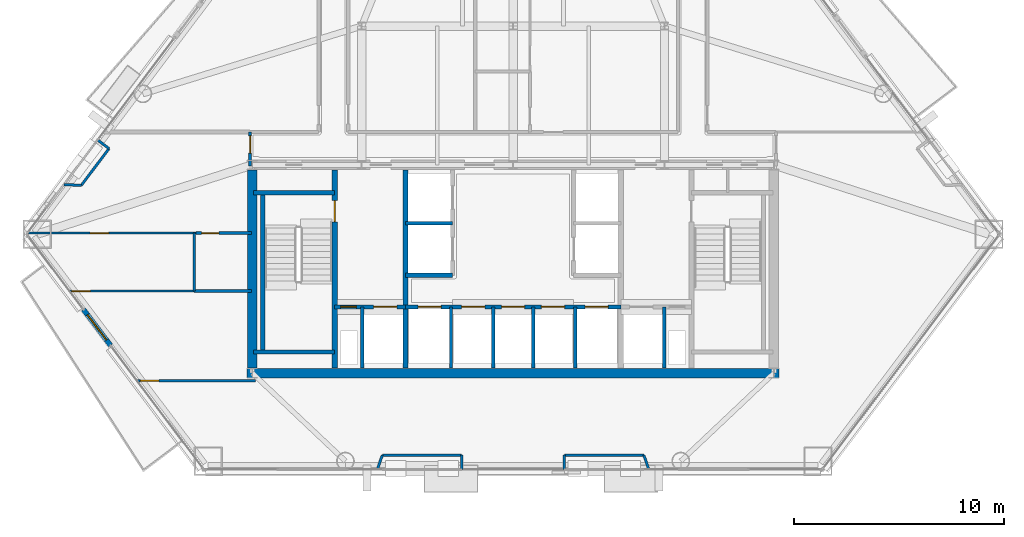
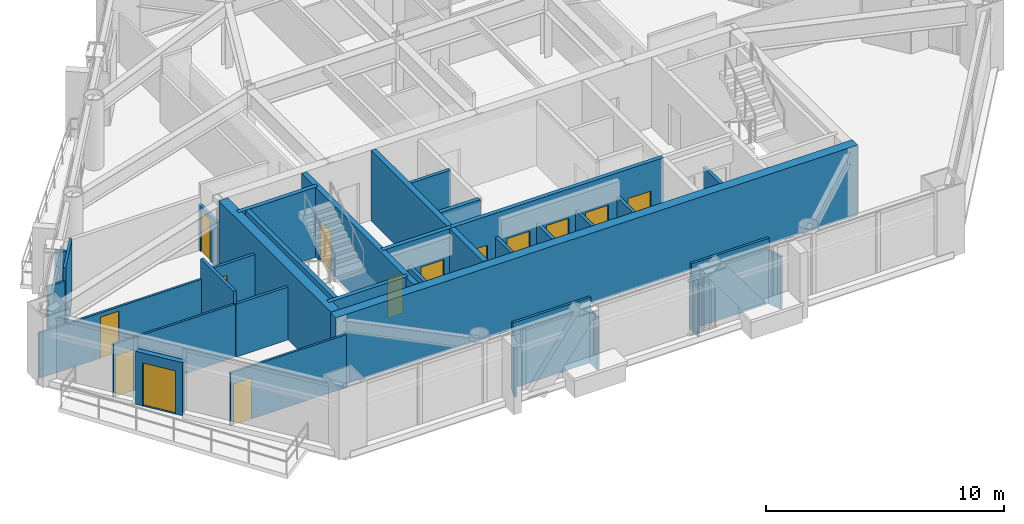
# One storey, part 6 of 10: 34 walls, 14 doors, 14 openings.
"""IFC4 building model written with IfcOpenShell, lengths in metres."""

from ifc_helpers import new_model, si_unit, direction, frame, frame_2d, origin, place, context, subcontext, project, spatial, rectangle, extrude, material, layer, layer_set, type_object, element, fill, save


model = new_model("IFC4")

# Units and contexts
model_context = context("Model", 3, precision=1e-05, world=origin(), true_north=direction((0.0, 1.0)))
body_context = subcontext(model_context, "Body", "Model", "MODEL_VIEW")
ifc_project = project(units=[si_unit("LENGTHUNIT", "METRE"), si_unit("AREAUNIT", "SQUARE_METRE"), si_unit("VOLUMEUNIT", "CUBIC_METRE"), si_unit("PLANEANGLEUNIT", "RADIAN"), si_unit("MASSUNIT", "GRAM", prefix="KILO")], contexts=[model_context])

# Site, building, storey
site_placement = place(None, origin())
site = spatial("IfcSite", under=ifc_project, at=site_placement, CompositionType="ELEMENT")
building_placement = place(site_placement, origin())
building = spatial("IfcBuilding", under=site, at=building_placement, Name="Talgorran Terracotta Tower", CompositionType="ELEMENT")
storey_placement = place(building_placement, frame((0.0, 0.0, 31.5)))
storey = spatial("IfcBuildingStorey", under=building, at=storey_placement, Name="L07", CompositionType="ELEMENT", Elevation=31.5)

# Wall, opening, door
ifc_material_1 = material(Name="Concrete C40/50", Category="concrete")
ifc_layer_1 = layer(ifc_material_1, 0.239990234375, Name="WT_BALCONY_SPAND")
ifc_layer_set_1 = layer_set([ifc_layer_1], Name="Concrete C40/50")
wall_type_1 = type_object("IfcWallType", Name="WT_BALCONY_SPAND", PredefinedType="STANDARD", material=ifc_layer_set_1)
wall_1_placement = place(storey_placement, frame((-20.42724609375, -11.073486328125, -0.014892578125), z_axis=(0.0, 0.0, 1.0), x_axis=(0.601769043502, -0.798670156124, 0.0)))
wall_1 = element("IfcWall", 1, at=wall_1_placement, inside=storey, type_object=wall_type_1, Name="WL-L07-BALP-BAL-SW", PredefinedType="STANDARD", context=body_context, shape_type="SweptSolid", body=[
    extrude(rectangle(XDim=2.14013671875, YDim=0.239990234375, at=frame_2d((1.070068359375, 0.0))), origin(), (0.0, 0.0, 1.0), 2.728271484375),
])
opening_1_placement = place(wall_1_placement, frame((0.320068359375, 0.0, 0.014892578125)))
opening_1 = element("IfcOpeningElement", 2, at=opening_1_placement, cuts=wall_1, Name="Opening D-BAL-L07-3", PredefinedType="OPENING", context=body_context, shape_type="SweptSolid", body=[
    extrude(rectangle(XDim=1.506, YDim=2.203951171875, at=frame_2d((0.75, 1.10205078125))), frame((0.0, 0.1298828125, 0.0), z_axis=(0.0, -1.0, 0.0), x_axis=(1.0, 0.0, 0.0)), (0.0, 0.0, 1.0), 0.260009765625),
])
ifc_material_2 = material(Name="Thermally Broken Aluminium", Category="aluminium")
door_type_1 = type_object("IfcDoorType", Name="DT_BALC_1500", OperationType="SLIDING_TO_RIGHT", PredefinedType="DOOR", material=ifc_material_2)
door_1_placement = place(opening_1_placement, origin())
door_1 = element("IfcDoor", 3, at=door_1_placement, inside=storey, type_object=door_type_1, Name="DR-L07-BAL-BAL-SW", OperationType="SLIDING_TO_RIGHT", OverallHeight=2.199951171875, OverallWidth=1.5, PredefinedType="DOOR", context=body_context, shape_type="SweptSolid", body=[
    extrude(rectangle(XDim=1.5, YDim=2.199951171875, at=frame_2d((0.75, 1.10009765625))), frame((0.0, 0.02490234375, 0.0), z_axis=(0.0, -1.0, 0.0), x_axis=(1.0, 0.0, 0.0)), (0.0, 0.0, 1.0), 0.050048828125),
])
fill(opening_1, door_1)

# Walls
ifc_material_3 = material(Name="Concrete C50/60", Category="concrete")
ifc_layer_2 = layer(ifc_material_3, 0.199951171875, Name="WT_CORE_200")
ifc_layer_set_2 = layer_set([ifc_layer_2], Name="Concrete C50/60")
wall_type_2 = type_object("IfcWallType", Name="WT_CORE_200", PredefinedType="SOLIDWALL", material=ifc_layer_set_2)
for number, where, z_axis, x_axis, name in (
    (4, (-12.35009765625, -5.52001953125, 0.0), (0.0, 0.0, 1.0), (1.0, 0.0, 0.0), "WL-L07-CW-ST1-N"),
    (5, (-12.35009765625, -13.10009765625, 0.0), (0.0, 0.0, 1.0), (1.0, 0.0, 0.0), "WL-L07-CW-ST1-S"),
):
    element("IfcWall", number, at=place(storey_placement, frame(where, z_axis=z_axis, x_axis=x_axis)), inside=storey, type_object=wall_type_2, Name=name, PredefinedType="SOLIDWALL", context=body_context, shape_type="SweptSolid", body=[
        extrude(rectangle(XDim=3.8701171875, YDim=0.199951171875, at=frame_2d((1.93505859375, 0.0))), origin(), (0.0, 0.0, 1.0), 3.60009765625),
    ])
wall_2_placement = place(storey_placement, frame((-11.89990234375, -13.10009765625, 0.0), z_axis=(0.0, 0.0, 1.0), x_axis=(0.0, 1.0, 0.0)))
element("IfcWall", 6, at=wall_2_placement, inside=storey, type_object=wall_type_2, Name="WL-L07-CW-ST1-W", PredefinedType="SOLIDWALL", context=body_context, shape_type="SweptSolid", body=[
    extrude(rectangle(XDim=7.580078125, YDim=0.199951171875, at=frame_2d((3.7900390625, 0.0))), origin(), (0.0, 0.0, 1.0), 3.60009765625),
])

# Wall, openings, doors
wall_3_placement = place(storey_placement, frame((-8.47998046875, -10.949951171875, 0.0), z_axis=(0.0, 0.0, 1.0), x_axis=(1.0, 0.0, 0.0)))
wall_3 = element("IfcWall", 7, at=wall_3_placement, inside=storey, type_object=wall_type_2, Name="WL-L07-CW-H-SBW", PredefinedType="SOLIDWALL", context=body_context, shape_type="SweptSolid", body=[
    extrude(rectangle(XDim=3.35986328125, YDim=0.199951171875, at=frame_2d((1.679931640625, 0.0))), origin(), (0.0, 0.0, 1.0), 3.60009765625),
])
opening_2_placement = place(wall_3_placement, frame((0.280029296875, 0.0, 0.0)))
opening_2 = element("IfcOpeningElement", 8, at=opening_2_placement, cuts=wall_3, Name="Opening DR-RSW", PredefinedType="OPENING", context=body_context, shape_type="SweptSolid", body=[
    extrude(rectangle(XDim=0.756, YDim=2.054048828125, at=frame_2d((0.375, 1.027099609375))), frame((0.0, 0.10986328125, 0.0), z_axis=(0.0, -1.0, 0.0), x_axis=(1.0, 0.0, 0.0)), (0.0, 0.0, 1.0), 0.219970703125),
])
opening_3_placement = place(wall_3_placement, frame((1.85009765625, 0.0, 0.0)))
opening_3 = element("IfcOpeningElement", 9, at=opening_3_placement, cuts=wall_3, Name="Opening LD-FFL1", PredefinedType="OPENING", context=body_context, shape_type="SweptSolid", body=[
    extrude(rectangle(XDim=1.10609765625, YDim=2.10409765625, at=frame_2d((0.550048828125, 1.052001953125))), frame((0.0, 0.10986328125, 0.0), z_axis=(0.0, -1.0, 0.0), x_axis=(1.0, 0.0, 0.0)), (0.0, 0.0, 1.0), 0.219970703125),
])
ifc_material_4 = material(Name="Brushed Stainless Steel Grade 304", Category="steel")
door_type_2 = type_object("IfcDoorType", Name="DT_LIFT_LD1100", OperationType="DOUBLE_DOOR_SLIDING", PredefinedType="DOOR", material=ifc_material_4)
door_2_placement = place(opening_3_placement, origin())
door_2 = element("IfcDoor", 10, at=door_2_placement, inside=storey, type_object=door_type_2, Name="L07 Lift Landing Door LD-FFL1", OperationType="DOUBLE_DOOR_SLIDING", OverallHeight=2.10009765625, OverallWidth=1.10009765625, PredefinedType="DOOR", context=body_context, shape_type="SweptSolid", body=[
    extrude(rectangle(XDim=1.10009765625, YDim=2.10009765625, at=frame_2d((0.550048828125, 1.050048828125))), frame((0.0, 0.02490234375, 0.0), z_axis=(0.0, -1.0, 0.0), x_axis=(1.0, 0.0, 0.0)), (0.0, 0.0, 1.0), 0.050048828125),
])
fill(opening_3, door_2)
ifc_material_5 = material(Name="Fire-Rated Pressed Steel", Category="steel")
door_type_3 = type_object("IfcDoorType", Name="DT_RISER_750", OperationType="NOTDEFINED", PredefinedType="DOOR", material=ifc_material_5)
door_3_placement = place(opening_2_placement, origin())
door_3 = element("IfcDoor", 11, at=door_3_placement, inside=storey, type_object=door_type_3, Name="DR-RSW", OperationType="SINGLE_SWING_LEFT", OverallHeight=2.050048828125, OverallWidth=0.75, PredefinedType="DOOR", context=body_context, shape_type="SweptSolid", body=[
    extrude(rectangle(XDim=0.75, YDim=2.050048828125, at=frame_2d((0.375, 1.02490234375))), frame((0.0, 0.02490234375, 0.0), z_axis=(0.0, -1.0, 0.0), x_axis=(1.0, 0.0, 0.0)), (0.0, 0.0, 1.0), 0.050048828125),
])
fill(opening_2, door_3)

wall_4_placement = place(storey_placement, frame((-5.1201171875, -10.949951171875, 0.0), z_axis=(0.0, 0.0, 1.0), x_axis=(1.0, 0.0, 0.0)))
wall_4 = element("IfcWall", 12, at=wall_4_placement, inside=storey, type_object=wall_type_2, Name="WL-L07-CW-H-SBC", PredefinedType="SOLIDWALL", context=body_context, shape_type="SweptSolid", body=[
    extrude(rectangle(XDim=10.240234375, YDim=0.199951171875, at=frame_2d((5.1201171875, 0.0))), origin(), (0.0, 0.0, 1.0), 3.60009765625),
])
opening_4_placement = place(wall_4_placement, frame((0.60009765625, 0.0, 0.0)))
opening_4 = element("IfcOpeningElement", 13, at=opening_4_placement, cuts=wall_4, Name="Opening LD-OB1", PredefinedType="OPENING", context=body_context, shape_type="SweptSolid", body=[
    extrude(rectangle(XDim=1.10609765625, YDim=2.10409765625, at=frame_2d((0.550048828125, 1.052001953125))), frame((0.0, 0.10986328125, 0.0), z_axis=(0.0, -1.0, 0.0), x_axis=(1.0, 0.0, 0.0)), (0.0, 0.0, 1.0), 0.219970703125),
])
opening_5_placement = place(wall_4_placement, frame((2.669921875, 0.0, 0.0)))
opening_5 = element("IfcOpeningElement", 14, at=opening_5_placement, cuts=wall_4, Name="Opening LD-PLH1", PredefinedType="OPENING", context=body_context, shape_type="SweptSolid", body=[
    extrude(rectangle(XDim=1.10609765625, YDim=2.10409765625, at=frame_2d((0.550048828125, 1.052001953125))), frame((0.0, 0.10986328125, 0.0), z_axis=(0.0, -1.0, 0.0), x_axis=(1.0, 0.0, 0.0)), (0.0, 0.0, 1.0), 0.219970703125),
])
opening_6_placement = place(wall_4_placement, frame((4.570068359375, 0.0, 0.0)))
opening_6 = element("IfcOpeningElement", 15, at=opening_6_placement, cuts=wall_4, Name="Opening LD-PLH2", PredefinedType="OPENING", context=body_context, shape_type="SweptSolid", body=[
    extrude(rectangle(XDim=1.10609765625, YDim=2.10409765625, at=frame_2d((0.550048828125, 1.052001953125))), frame((0.0, 0.10986328125, 0.0), z_axis=(0.0, -1.0, 0.0), x_axis=(1.0, 0.0, 0.0)), (0.0, 0.0, 1.0), 0.219970703125),
])
opening_7_placement = place(wall_4_placement, frame((6.469970703125, 0.0, 0.0)))
opening_7 = element("IfcOpeningElement", 16, at=opening_7_placement, cuts=wall_4, Name="Opening LD-PLH3", PredefinedType="OPENING", context=body_context, shape_type="SweptSolid", body=[
    extrude(rectangle(XDim=1.10609765625, YDim=2.10409765625, at=frame_2d((0.550048828125, 1.052001953125))), frame((0.0, 0.10986328125, 0.0), z_axis=(0.0, -1.0, 0.0), x_axis=(1.0, 0.0, 0.0)), (0.0, 0.0, 1.0), 0.219970703125),
])
opening_8_placement = place(wall_4_placement, frame((8.5400390625, 0.0, 0.0)))
opening_8 = element("IfcOpeningElement", 17, at=opening_8_placement, cuts=wall_4, Name="Opening LD-SVL1", PredefinedType="OPENING", context=body_context, shape_type="SweptSolid", body=[
    extrude(rectangle(XDim=1.10609765625, YDim=2.10409765625, at=frame_2d((0.550048828125, 1.052001953125))), frame((0.0, 0.10986328125, 0.0), z_axis=(0.0, -1.0, 0.0), x_axis=(1.0, 0.0, 0.0)), (0.0, 0.0, 1.0), 0.219970703125),
])
door_4_placement = place(opening_4_placement, origin())
door_4 = element("IfcDoor", 18, at=door_4_placement, inside=storey, type_object=door_type_2, Name="L07 Lift Landing Door LD-OB1", OperationType="DOUBLE_DOOR_SLIDING", OverallHeight=2.10009765625, OverallWidth=1.10009765625, PredefinedType="DOOR", context=body_context, shape_type="SweptSolid", body=[
    extrude(rectangle(XDim=1.10009765625, YDim=2.10009765625, at=frame_2d((0.550048828125, 1.050048828125))), frame((0.0, 0.02490234375, 0.0), z_axis=(0.0, -1.0, 0.0), x_axis=(1.0, 0.0, 0.0)), (0.0, 0.0, 1.0), 0.050048828125),
])
fill(opening_4, door_4)
door_5_placement = place(opening_5_placement, origin())
door_5 = element("IfcDoor", 19, at=door_5_placement, inside=storey, type_object=door_type_2, Name="L07 Lift Landing Door LD-PLH1", OperationType="DOUBLE_DOOR_SLIDING", OverallHeight=2.10009765625, OverallWidth=1.10009765625, PredefinedType="DOOR", context=body_context, shape_type="SweptSolid", body=[
    extrude(rectangle(XDim=1.10009765625, YDim=2.10009765625, at=frame_2d((0.550048828125, 1.050048828125))), frame((0.0, 0.02490234375, 0.0), z_axis=(0.0, -1.0, 0.0), x_axis=(1.0, 0.0, 0.0)), (0.0, 0.0, 1.0), 0.050048828125),
])
fill(opening_5, door_5)
door_6_placement = place(opening_6_placement, origin())
door_6 = element("IfcDoor", 20, at=door_6_placement, inside=storey, type_object=door_type_2, Name="L07 Lift Landing Door LD-PLH2", OperationType="DOUBLE_DOOR_SLIDING", OverallHeight=2.10009765625, OverallWidth=1.10009765625, PredefinedType="DOOR", context=body_context, shape_type="SweptSolid", body=[
    extrude(rectangle(XDim=1.10009765625, YDim=2.10009765625, at=frame_2d((0.550048828125, 1.050048828125))), frame((0.0, 0.02490234375, 0.0), z_axis=(0.0, -1.0, 0.0), x_axis=(1.0, 0.0, 0.0)), (0.0, 0.0, 1.0), 0.050048828125),
])
fill(opening_6, door_6)
door_7_placement = place(opening_7_placement, origin())
door_7 = element("IfcDoor", 21, at=door_7_placement, inside=storey, type_object=door_type_2, Name="L07 Lift Landing Door LD-PLH3", OperationType="DOUBLE_DOOR_SLIDING", OverallHeight=2.10009765625, OverallWidth=1.10009765625, PredefinedType="DOOR", context=body_context, shape_type="SweptSolid", body=[
    extrude(rectangle(XDim=1.10009765625, YDim=2.10009765625, at=frame_2d((0.550048828125, 1.050048828125))), frame((0.0, 0.02490234375, 0.0), z_axis=(0.0, -1.0, 0.0), x_axis=(1.0, 0.0, 0.0)), (0.0, 0.0, 1.0), 0.050048828125),
])
fill(opening_7, door_7)
door_8_placement = place(opening_8_placement, origin())
door_8 = element("IfcDoor", 22, at=door_8_placement, inside=storey, type_object=door_type_2, Name="L07 Lift Landing Door LD-SVL1", OperationType="DOUBLE_DOOR_SLIDING", OverallHeight=2.10009765625, OverallWidth=1.10009765625, PredefinedType="DOOR", context=body_context, shape_type="SweptSolid", body=[
    extrude(rectangle(XDim=1.10009765625, YDim=2.10009765625, at=frame_2d((0.550048828125, 1.050048828125))), frame((0.0, 0.02490234375, 0.0), z_axis=(0.0, -1.0, 0.0), x_axis=(1.0, 0.0, 0.0)), (0.0, 0.0, 1.0), 0.050048828125),
])
fill(opening_8, door_8)

# Wall
wall_5_placement = place(storey_placement, frame((-5.1201171875, -9.449951171875, 0.0), z_axis=(0.0, 0.0, 1.0), x_axis=(1.0, 0.0, 0.0)))
element("IfcWall", 23, at=wall_5_placement, inside=storey, type_object=wall_type_2, Name="WL-L07-CW-H-W4", PredefinedType="SOLIDWALL", context=body_context, shape_type="SweptSolid", body=[
    extrude(rectangle(XDim=2.240234375, YDim=0.199951171875, at=frame_2d((1.1201171875, 0.0))), origin(), (0.0, 0.0, 1.0), 3.35009765625),
])

# Wall, opening, door
ifc_layer_3 = layer(ifc_material_3, 0.25, Name="WT_CORE_250")
ifc_layer_set_3 = layer_set([ifc_layer_3], Name="Concrete C50/60")
wall_type_3 = type_object("IfcWallType", Name="WT_CORE_250", PredefinedType="SHEAR", material=ifc_layer_set_3)
wall_6_placement = place(storey_placement, frame((-8.47998046875, -13.85009765625, 0.0), z_axis=(0.0, 0.0, 1.0), x_axis=(0.0, 1.0, 0.0)))
wall_6 = element("IfcWall", 24, at=wall_6_placement, inside=storey, type_object=wall_type_3, Name="WL-L07-CW-V-W1", PredefinedType="SHEAR", context=body_context, shape_type="SweptSolid", body=[
    extrude(rectangle(XDim=9.400146484375, YDim=0.25, at=frame_2d((4.7001953125, 0.0))), origin(), (0.0, 0.0, 1.0), 3.60009765625),
])
opening_9_placement = place(wall_6_placement, frame((6.949951171875, 0.0, 0.0)))
opening_9 = element("IfcOpeningElement", 25, at=opening_9_placement, cuts=wall_6, Name="Opening DR-ST01", PredefinedType="OPENING", context=body_context, shape_type="SweptSolid", body=[
    extrude(rectangle(XDim=1.006, YDim=2.10409765625, at=frame_2d((0.5, 1.052001953125))), frame((0.0, 0.135009765625, 0.0), z_axis=(0.0, -1.0, 0.0), x_axis=(1.0, 0.0, 0.0)), (0.0, 0.0, 1.0), 0.27001953125),
])
door_type_4 = type_object("IfcDoorType", Name="DT_FIRE_1000", OperationType="NOTDEFINED", PredefinedType="DOOR", material=ifc_material_5)
door_9_placement = place(opening_9_placement, origin())
door_9 = element("IfcDoor", 26, at=door_9_placement, inside=storey, type_object=door_type_4, Name="DR-ST01", OperationType="SINGLE_SWING_LEFT", OverallHeight=2.10009765625, OverallWidth=1.0, PredefinedType="DOOR", context=body_context, shape_type="SweptSolid", body=[
    extrude(rectangle(XDim=1.0, YDim=2.10009765625, at=frame_2d((0.5, 1.050048828125))), frame((0.0, 0.02490234375, 0.0), z_axis=(0.0, -1.0, 0.0), x_axis=(1.0, 0.0, 0.0)), (0.0, 0.0, 1.0), 0.050048828125),
])
fill(opening_9, door_9)

# Walls
wall_7_placement = place(storey_placement, frame((-5.1201171875, -13.85009765625, 0.0), z_axis=(0.0, 0.0, 1.0), x_axis=(0.0, 1.0, 0.0)))
element("IfcWall", 27, at=wall_7_placement, inside=storey, type_object=wall_type_3, Name="WL-L07-CW-V-W2", PredefinedType="SHEAR", context=body_context, shape_type="SweptSolid", body=[
    extrude(rectangle(XDim=9.400146484375, YDim=0.25, at=frame_2d((4.7001953125, 0.0))), origin(), (0.0, 0.0, 1.0), 3.60009765625),
])
ifc_material_6 = material(Name="Concrete C65/80", Category="concrete")
ifc_layer_4 = layer(ifc_material_6, 0.449951171875, Name="WT_CORE_EXT")
ifc_layer_set_4 = layer_set([ifc_layer_4], Name="Concrete C65/80")
wall_type_4 = type_object("IfcWallType", Name="WT_CORE_EXT", PredefinedType="SHEAR", material=ifc_layer_set_4)
wall_8_placement = place(storey_placement, frame((-12.64990234375, -14.10009765625, 0.0), z_axis=(0.0, 0.0, 1.0), x_axis=(1.0, 0.0, 0.0)))
element("IfcWall", 28, at=wall_8_placement, inside=storey, type_object=wall_type_4, Name="WL-L07-CW-OUT-S", PredefinedType="SHEAR", context=body_context, shape_type="SweptSolid", body=[
    extrude(rectangle(XDim=25.2998046875, YDim=0.449951171875, at=frame_2d((12.64990234375, 0.0))), origin(), (0.0, 0.0, 1.0), 3.60009765625),
])
wall_9_placement = place(storey_placement, frame((-12.39990234375, -13.85009765625, 0.0), z_axis=(0.0, 0.0, 1.0), x_axis=(0.0, 1.0, 0.0)))
element("IfcWall", 29, at=wall_9_placement, inside=storey, type_object=wall_type_4, Name="WL-L07-CW-OUT-W", PredefinedType="SHEAR", context=body_context, shape_type="SweptSolid", body=[
    extrude(rectangle(XDim=9.400146484375, YDim=0.449951171875, at=frame_2d((4.7001953125, 0.0))), origin(), (0.0, 0.0, 1.0), 3.60009765625),
])

# Wall, opening, door
ifc_material_7 = material(Name="Fire-Rated Steel Stud Plasterboard", Category="steel")
ifc_layer_5 = layer(ifc_material_7, 0.14990234375, Name="WT_FIRE_150")
ifc_layer_set_5 = layer_set([ifc_layer_5], Name="Fire-Rated Steel Stud Plasterboard")
wall_type_5 = type_object("IfcWallType", Name="WT_FIRE_150", PredefinedType="PARTITIONING", material=ifc_layer_set_5)
wall_10_placement = place(storey_placement, frame((-12.5, -4.239990234375, 0.0), z_axis=(0.0, 0.0, 1.0), x_axis=(0.0, 1.0, 0.0)))
wall_10 = element("IfcWall", 30, at=wall_10_placement, inside=storey, type_object=wall_type_5, Name="WL-L07-W-L07-R01", PredefinedType="PARTITIONING", context=body_context, shape_type="SweptSolid", body=[
    extrude(rectangle(XDim=1.60009765625, YDim=0.14990234375, at=frame_2d((0.800048828125, 0.0))), origin(), (0.0, 0.0, 1.0), 2.324951171875),
])
opening_10_placement = place(wall_10_placement, frame((0.602294921875, 0.0, 0.0)))
opening_10 = element("IfcOpeningElement", 31, at=opening_10_placement, cuts=wall_10, Name="Opening DR-L07-R01", PredefinedType="OPENING", context=body_context, shape_type="SweptSolid", body=[
    extrude(rectangle(XDim=0.826068359375, YDim=2.10409765625, at=frame_2d((0.41015625, 1.052001953125))), frame((0.0, 0.0849609375, 0.0), z_axis=(0.0, -1.0, 0.0), x_axis=(1.0, 0.0, 0.0)), (0.0, 0.0, 1.0), 0.169921875),
])
ifc_material_8 = material(Name="Moisture-Resistant Solid Timber", Category="wood")
door_type_5 = type_object("IfcDoorType", Name="DT_INT_820", OperationType="NOTDEFINED", PredefinedType="DOOR", material=ifc_material_8)
door_10_placement = place(opening_10_placement, origin())
door_10 = element("IfcDoor", 32, at=door_10_placement, inside=storey, type_object=door_type_5, Name="DR-L07-R01", OperationType="SINGLE_SWING_LEFT", OverallHeight=2.10009765625, OverallWidth=0.820068359375, PredefinedType="DOOR", context=body_context, shape_type="SweptSolid", body=[
    extrude(rectangle(XDim=0.820068359375, YDim=2.10009765625, at=frame_2d((0.41015625, 1.050048828125))), frame((0.0, 0.02490234375, 0.0), z_axis=(0.0, -1.0, 0.0), x_axis=(1.0, 0.0, 0.0)), (0.0, 0.0, 1.0), 0.050048828125),
])
fill(opening_10, door_10)

ifc_material_9 = material(Name="Lightweight Steel Stud Partition", Category="steel")
ifc_layer_6 = layer(ifc_material_9, 0.10498046875, Name="WT_PART_110")
ifc_layer_set_6 = layer_set([ifc_layer_6], Name="Lightweight Steel Stud Partition")
wall_type_6 = type_object("IfcWallType", Name="WT_PART_110", PredefinedType="PARTITIONING", material=ifc_layer_set_6)
wall_11_placement = place(storey_placement, frame((-23.08935546875, -7.43994140625, 0.0), z_axis=(0.0, 0.0, 1.0), x_axis=(1.0, 0.0, 0.0)))
wall_11 = element("IfcWall", 33, at=wall_11_placement, inside=storey, type_object=wall_type_6, Name="WL-L07-W-L07-R18", PredefinedType="PARTITIONING", context=body_context, shape_type="SweptSolid", body=[
    extrude(rectangle(XDim=8.00927734375, YDim=0.10498046875, at=frame_2d((4.004638671875, 0.0))), origin(), (0.0, 0.0, 1.0), 2.324951171875),
])
opening_11_placement = place(wall_11_placement, frame((2.9755859375, 0.0, 0.0)))
opening_11 = element("IfcOpeningElement", 34, at=opening_11_placement, cuts=wall_11, Name="Opening DR-L07-R03", PredefinedType="OPENING", context=body_context, shape_type="SweptSolid", body=[
    extrude(rectangle(XDim=0.8858828125, YDim=2.10409765625, at=frame_2d((0.43994140625, 1.052001953125))), frame((0.0, 0.0625, 0.0), z_axis=(0.0, -1.0, 0.0), x_axis=(1.0, 0.0, 0.0)), (0.0, 0.0, 1.0), 0.125),
])
ifc_material_10 = material(Name="Solid-Core Painted Timber", Category="wood")
door_type_6 = type_object("IfcDoorType", Name="DT_INT_880", OperationType="NOTDEFINED", PredefinedType="DOOR", material=ifc_material_10)
door_11_placement = place(opening_11_placement, origin())
door_11 = element("IfcDoor", 35, at=door_11_placement, inside=storey, type_object=door_type_6, Name="DR-L07-R03", OperationType="SINGLE_SWING_LEFT", OverallHeight=2.10009765625, OverallWidth=0.8798828125, PredefinedType="DOOR", context=body_context, shape_type="SweptSolid", body=[
    extrude(rectangle(XDim=0.8798828125, YDim=2.10009765625, at=frame_2d((0.43994140625, 1.050048828125))), frame((0.0, 0.02490234375, 0.0), z_axis=(0.0, -1.0, 0.0), x_axis=(1.0, 0.0, 0.0)), (0.0, 0.0, 1.0), 0.050048828125),
])
fill(opening_11, door_11)

wall_12_placement = place(storey_placement, frame((-21.08544921875, -10.199951171875, 0.0), z_axis=(0.0, 0.0, 1.0), x_axis=(1.0, 0.0, 0.0)))
wall_12 = element("IfcWall", 36, at=wall_12_placement, inside=storey, type_object=wall_type_6, Name="WL-L07-W-L07-R22", PredefinedType="PARTITIONING", context=body_context, shape_type="SweptSolid", body=[
    extrude(rectangle(XDim=5.925537109375, YDim=0.10498046875, at=frame_2d((2.962890625, 0.0))), origin(), (0.0, 0.0, 1.0), 2.71337890625),
])
opening_12_placement = place(wall_12_placement, frame((0.10009765625, 0.0, 0.0)))
opening_12 = element("IfcOpeningElement", 37, at=opening_12_placement, cuts=wall_12, Name="Opening DR-L07-R16", PredefinedType="OPENING", context=body_context, shape_type="SweptSolid", body=[
    extrude(rectangle(XDim=0.8858828125, YDim=2.10409765625, at=frame_2d((0.43994140625, 1.052001953125))), frame((0.0, 0.0625, 0.0), z_axis=(0.0, -1.0, 0.0), x_axis=(1.0, 0.0, 0.0)), (0.0, 0.0, 1.0), 0.125),
])
door_12_placement = place(opening_12_placement, origin())
door_12 = element("IfcDoor", 38, at=door_12_placement, inside=storey, type_object=door_type_6, Name="DR-L07-R16", OperationType="SINGLE_SWING_RIGHT", OverallHeight=2.10009765625, OverallWidth=0.8798828125, PredefinedType="DOOR", context=body_context, shape_type="SweptSolid", body=[
    extrude(rectangle(XDim=0.8798828125, YDim=2.10009765625, at=frame_2d((0.43994140625, 1.050048828125))), frame((0.0, 0.02490234375, 0.0), z_axis=(0.0, -1.0, 0.0), x_axis=(1.0, 0.0, 0.0)), (0.0, 0.0, 1.0), 0.050048828125),
])
fill(opening_12, door_12)

wall_13_placement = place(storey_placement, frame((-17.87548828125, -14.4599609375, 0.0), z_axis=(0.0, 0.0, 1.0), x_axis=(1.0, 0.0, 0.0)))
wall_13 = element("IfcWall", 39, at=wall_13_placement, inside=storey, type_object=wall_type_6, Name="WL-L07-W-L07-R23", PredefinedType="PARTITIONING", context=body_context, shape_type="SweptSolid", body=[
    extrude(rectangle(XDim=5.635498046875, YDim=0.10498046875, at=frame_2d((2.81787109375, 0.0))), origin(), (0.0, 0.0, 1.0), 2.71337890625),
])
opening_13_placement = place(wall_13_placement, frame((0.155517578125, 0.0, 0.0)))
opening_13 = element("IfcOpeningElement", 40, at=opening_13_placement, cuts=wall_13, Name="Opening DR-L07-R04", PredefinedType="OPENING", context=body_context, shape_type="SweptSolid", body=[
    extrude(rectangle(XDim=0.8858828125, YDim=2.10409765625, at=frame_2d((0.43994140625, 1.052001953125))), frame((0.0, 0.0625, 0.0), z_axis=(0.0, -1.0, 0.0), x_axis=(1.0, 0.0, 0.0)), (0.0, 0.0, 1.0), 0.125),
])
door_13_placement = place(opening_13_placement, origin())
door_13 = element("IfcDoor", 41, at=door_13_placement, inside=storey, type_object=door_type_6, Name="DR-L07-R04", OperationType="SINGLE_SWING_RIGHT", OverallHeight=2.10009765625, OverallWidth=0.8798828125, PredefinedType="DOOR", context=body_context, shape_type="SweptSolid", body=[
    extrude(rectangle(XDim=0.8798828125, YDim=2.10009765625, at=frame_2d((0.43994140625, 1.050048828125))), frame((0.0, 0.02490234375, 0.0), z_axis=(0.0, -1.0, 0.0), x_axis=(1.0, 0.0, 0.0)), (0.0, 0.0, 1.0), 0.050048828125),
])
fill(opening_13, door_13)

# Walls
ifc_material_11 = material(Name="Insulated Steel Stud Plasterboard", Category="steel")
ifc_layer_7 = layer(ifc_material_11, 0.1201171875, Name="WT_PART_120")
ifc_layer_set_7 = layer_set([ifc_layer_7], Name="Insulated Steel Stud Plasterboard")
wall_type_7 = type_object("IfcWallType", Name="WT_PART_120", PredefinedType="PARTITIONING", material=ifc_layer_set_7)
for number, where, z_axis, x_axis, name in (
    (42, (-6.216796875, -18.0, 0.0), (0.0, 0.0, 1.0), (1.0, 0.0, 0.0), "WL-L07-BW-L07-01"),
    (43, (2.44189453125, -18.0, 0.0), (0.0, 0.0, 1.0), (1.0, 0.0, 0.0), "WL-L07-BW-L07-06"),
):
    element("IfcWall", number, at=place(storey_placement, frame(where, z_axis=z_axis, x_axis=x_axis)), inside=storey, type_object=wall_type_7, Name=name, PredefinedType="PARTITIONING", context=body_context, shape_type="SweptSolid", body=[
        extrude(rectangle(XDim=3.77490234375, YDim=0.1201171875, at=frame_2d((1.887451171875, 0.0))), origin(), (0.0, 0.0, 1.0), 3.35009765625),
    ])
wall_14_placement = place(storey_placement, frame((-19.210205078125, -3.422119140625, 0.0), z_axis=(0.0, 0.0, 1.0), x_axis=(-0.601826426809, -0.798626916648, 0.0)))
element("IfcWall", 44, at=wall_14_placement, inside=storey, type_object=wall_type_7, Name="WL-L07-BW-L07-08", PredefinedType="PARTITIONING", context=body_context, shape_type="SweptSolid", body=[
    extrude(rectangle(XDim=2.1796875, YDim=0.1201171875, at=frame_2d((1.08984375, 0.0))), origin(), (0.0, 0.0, 1.0), 3.35009765625),
])
wall_15_placement = place(storey_placement, frame((-20.52197265625, -5.162841796875, 0.0), z_axis=(0.0, 0.0, 1.0), x_axis=(-0.999785995621, 0.02068726565, 0.0)))
element("IfcWall", 45, at=wall_15_placement, inside=storey, type_object=wall_type_7, Name="WL-L07-BW-L07-09", PredefinedType="PARTITIONING", context=body_context, shape_type="SweptSolid", body=[
    extrude(rectangle(XDim=0.826171875, YDim=0.1201171875, at=frame_2d((0.4130859375, 0.0))), origin(), (0.0, 0.0, 1.0), 2.71337890625),
])
for number, where, z_axis, x_axis, name in (
    (46, (-6.45166015625, -18.669921875, 0.0), (0.0, 0.0, 1.0), (0.330840584727, 0.943686657476, 0.0), "WL-L07-BW-L07-03"),
    (47, (6.216796875, -18.0, 0.0), (0.0, 0.0, 1.0), (0.330840584727, -0.943686657476, 0.0), "WL-L07-BW-L07-04"),
):
    element("IfcWall", number, at=place(storey_placement, frame(where, z_axis=z_axis, x_axis=x_axis)), inside=storey, type_object=wall_type_7, Name=name, PredefinedType="PARTITIONING", context=body_context, shape_type="SweptSolid", body=[
        extrude(rectangle(XDim=0.7099609375, YDim=0.1201171875, at=frame_2d((0.35498046875, 0.0))), origin(), (0.0, 0.0, 1.0), 2.71337890625),
    ])
for number, where, z_axis, x_axis, name in (
    (48, (-2.44189453125, -18.0, 0.0), (0.0, 0.0, 1.0), (0.0, -1.0, 0.0), "WL-L07-BW-L07-02"),
    (49, (2.44189453125, -18.669921875, 0.0), (0.0, 0.0, 1.0), (0.0, 1.0, 0.0), "WL-L07-BW-L07-05"),
):
    element("IfcWall", number, at=place(storey_placement, frame(where, z_axis=z_axis, x_axis=x_axis)), inside=storey, type_object=wall_type_7, Name=name, PredefinedType="PARTITIONING", context=body_context, shape_type="SweptSolid", body=[
        extrude(rectangle(XDim=0.669921875, YDim=0.1201171875, at=frame_2d((0.3349609375, 0.0))), origin(), (0.0, 0.0, 1.0), 2.71337890625),
    ])
wall_16_placement = place(storey_placement, frame((-19.745361328125, -3.018798828125, 0.0), z_axis=(0.0, 0.0, 1.0), x_axis=(0.798598820081, -0.601863709294, 0.0)))
element("IfcWall", 50, at=wall_16_placement, inside=storey, type_object=wall_type_7, Name="WL-L07-BW-L07-07", PredefinedType="PARTITIONING", context=body_context, shape_type="SweptSolid", body=[
    extrude(rectangle(XDim=0.670166015625, YDim=0.1201171875, at=frame_2d((0.3349609375, 0.0))), origin(), (0.0, 0.0, 1.0), 2.71337890625),
])

# Wall, opening, door
ifc_material_12 = material(Name="Moisture-Resistant Stud Wall")
ifc_layer_8 = layer(ifc_material_12, 0.135009765625, Name="WT_PART_135")
ifc_layer_set_8 = layer_set([ifc_layer_8], Name="Moisture-Resistant Stud Wall")
wall_type_8 = type_object("IfcWallType", Name="WT_PART_135", PredefinedType="PARTITIONING", material=ifc_layer_set_8)
wall_17_placement = place(storey_placement, frame((-15.077880859375, -7.43994140625, 0.0), z_axis=(0.0, 0.0, 1.0), x_axis=(1.0, 0.0, 0.0)))
wall_17 = element("IfcWall", 51, at=wall_17_placement, inside=storey, type_object=wall_type_8, Name="WL-L07-W-L07-R17", PredefinedType="PARTITIONING", context=body_context, shape_type="SweptSolid", body=[
    extrude(rectangle(XDim=2.637939453125, YDim=0.135009765625, at=frame_2d((1.31884765625, 0.0))), origin(), (0.0, 0.0, 1.0), 2.71337890625),
])
opening_14_placement = place(wall_17_placement, frame((0.2705078125, 0.0, 0.0)))
opening_14 = element("IfcOpeningElement", 52, at=opening_14_placement, cuts=wall_17, Name="Opening DR-L07-R02", PredefinedType="OPENING", context=body_context, shape_type="SweptSolid", body=[
    extrude(rectangle(XDim=0.826068359375, YDim=2.10409765625, at=frame_2d((0.41015625, 1.052001953125))), frame((0.0, 0.07763671875, 0.0), z_axis=(0.0, -1.0, 0.0), x_axis=(1.0, 0.0, 0.0)), (0.0, 0.0, 1.0), 0.155029296875),
])
door_14_placement = place(opening_14_placement, origin())
door_14 = element("IfcDoor", 53, at=door_14_placement, inside=storey, type_object=door_type_5, Name="DR-L07-R02", OperationType="SINGLE_SWING_RIGHT", OverallHeight=2.10009765625, OverallWidth=0.820068359375, PredefinedType="DOOR", context=body_context, shape_type="SweptSolid", body=[
    extrude(rectangle(XDim=0.820068359375, YDim=2.10009765625, at=frame_2d((0.41015625, 1.050048828125))), frame((0.0, 0.02490234375, 0.0), z_axis=(0.0, -1.0, 0.0), x_axis=(1.0, 0.0, 0.0)), (0.0, 0.0, 1.0), 0.050048828125),
])
fill(opening_14, door_14)

# Walls
wall_18_placement = place(storey_placement, frame((-15.159912109375, -10.199951171875, 0.0), z_axis=(0.0, 0.0, 1.0), x_axis=(0.0, 1.0, 0.0)))
element("IfcWall", 54, at=wall_18_placement, inside=storey, type_object=wall_type_8, Name="WL-L07-W-L07-R20", PredefinedType="PARTITIONING", context=body_context, shape_type="SweptSolid", body=[
    extrude(rectangle(XDim=2.760009765625, YDim=0.135009765625, at=frame_2d((1.3798828125, 0.0))), origin(), (0.0, 0.0, 1.0), 3.35009765625),
])
wall_19_placement = place(storey_placement, frame((-15.159912109375, -10.199951171875, 0.0), z_axis=(0.0, 0.0, 1.0), x_axis=(1.0, 0.0, 0.0)))
element("IfcWall", 55, at=wall_19_placement, inside=storey, type_object=wall_type_8, Name="WL-L07-W-L07-R21", PredefinedType="PARTITIONING", context=body_context, shape_type="SweptSolid", body=[
    extrude(rectangle(XDim=2.719970703125, YDim=0.135009765625, at=frame_2d((1.35986328125, 0.0))), origin(), (0.0, 0.0, 1.0), 2.71337890625),
])
ifc_material_13 = material(Name="Fire-Rated Shaftwall")
ifc_layer_9 = layer(ifc_material_13, 0.159912109375, Name="WT_PART_150")
ifc_layer_set_9 = layer_set([ifc_layer_9], Name="Fire-Rated Shaftwall")
wall_type_9 = type_object("IfcWallType", Name="WT_PART_150", PredefinedType="PARTITIONING", material=ifc_layer_set_9)
wall_20_placement = place(storey_placement, frame((-5.1201171875, -6.97998046875, 0.0), z_axis=(0.0, 0.0, 1.0), x_axis=(1.0, 0.0, 0.0)))
element("IfcWall", 56, at=wall_20_placement, inside=storey, type_object=wall_type_9, Name="WL-L07-CW-PLL-DIV", PredefinedType="PARTITIONING", context=body_context, shape_type="SweptSolid", body=[
    extrude(rectangle(XDim=2.240234375, YDim=0.159912109375, at=frame_2d((1.1201171875, 0.0))), origin(), (0.0, 0.0, 1.0), 3.35009765625),
])
for number, where, z_axis, x_axis, name in (
    (57, (-7.179931640625, -13.85009765625, 0.0), (0.0, 0.0, 1.0), (0.0, 1.0, 0.0), "WL-L07-CW-RSW"),
    (58, (7.179931640625, -13.85009765625, 0.0), (0.0, 0.0, 1.0), (0.0, 1.0, 0.0), "WL-L07-CW-RSE"),
    (59, (-2.949951171875, -13.85009765625, 0.0), (0.0, 0.0, 1.0), (0.0, 1.0, 0.0), "WL-L07-CW-OB-E"),
    (60, (2.949951171875, -13.85009765625, 0.0), (0.0, 0.0, 1.0), (0.0, 1.0, 0.0), "WL-L07-CW-SV-W"),
    (61, (-0.949951171875, -13.85009765625, 0.0), (0.0, 0.0, 1.0), (0.0, 1.0, 0.0), "WL-L07-CW-PLH-D1"),
    (62, (0.949951171875, -13.85009765625, 0.0), (0.0, 0.0, 1.0), (0.0, 1.0, 0.0), "WL-L07-CW-PLH-D2"),
):
    element("IfcWall", number, at=place(storey_placement, frame(where, z_axis=z_axis, x_axis=x_axis)), inside=storey, type_object=wall_type_9, Name=name, PredefinedType="PARTITIONING", context=body_context, shape_type="SweptSolid", body=[
        extrude(rectangle(XDim=2.900146484375, YDim=0.159912109375, at=frame_2d((1.4501953125, 0.0))), origin(), (0.0, 0.0, 1.0), 2.375),
    ])

save(model, "model.ifc")
